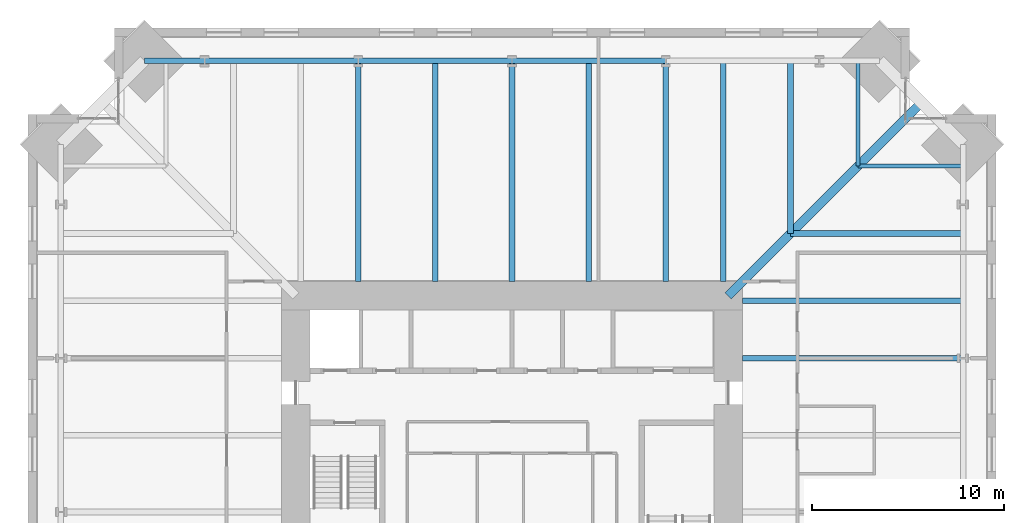
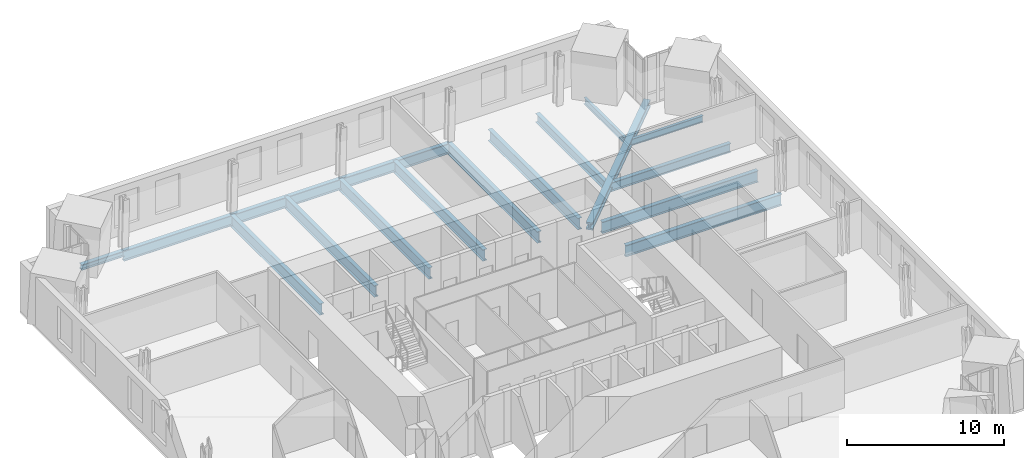
# One storey, part 7 of 15: 17 beams.
"""IFC4 building model written with IfcOpenShell, lengths in metres."""

from ifc_helpers import new_model, si_unit, direction, frame, origin, origin_2d, place, context, subcontext, project, spatial, i_section, extrude, material, material_profile, profile_set, type_object, element, save


model = new_model("IFC4")

# Units and contexts
model_context = context("Model", 3, precision=1e-05, world=origin(), true_north=direction((0.0, 1.0)))
body_context = subcontext(model_context, "Body", "Model", "MODEL_VIEW")
ifc_project = project(units=[si_unit("LENGTHUNIT", "METRE"), si_unit("AREAUNIT", "SQUARE_METRE"), si_unit("VOLUMEUNIT", "CUBIC_METRE"), si_unit("PLANEANGLEUNIT", "RADIAN"), si_unit("MASSUNIT", "GRAM", prefix="KILO")], contexts=[model_context])

# Site, building, storey
site_placement = place(None, origin())
site = spatial("IfcSite", under=ifc_project, at=site_placement, CompositionType="ELEMENT")
building_placement = place(site_placement, origin())
building = spatial("IfcBuilding", under=site, at=building_placement, Name="Peilmerk Tower", CompositionType="ELEMENT")
storey_placement = place(building_placement, frame((0.0, 0.0, 183.800048828125)))
storey = spatial("IfcBuildingStorey", under=building, at=storey_placement, Name="L39", CompositionType="ELEMENT", Elevation=183.800048828125)

# Beams
ifc_material_1 = material(Name="Steel S355", Category="steel")
ifc_material_profile_1 = material_profile(ifc_material_1, i_section(OverallWidth=0.302978515625, OverallDepth=0.81396484375, WebThickness=0.02099609375, FlangeThickness=0.0400390625, at=origin_2d()), Name="HEM 800")
ifc_profile_set_1 = profile_set([ifc_material_profile_1], Name="Steel S355")
beam_type_1 = type_object("IfcBeamType", Name="B15 HEM 800 edge beam", PredefinedType="SPANDREL", material=ifc_profile_set_1)
for number, where, z_axis, x_axis, name in (
    (1, (8.0, 23.485595703125, -0.5771484375), (-1.0, 0.0, 0.0), (0.0, -1.0, 0.0), "Edge beam L39"),
    (2, (0.0, 23.485595703125, -0.5771484375), (-1.0, 0.0, 0.0), (0.0, -1.0, 0.0), "Edge beam L39"),
    (3, (-8.0, 23.485595703125, -0.5771484375), (-1.0, 0.0, 0.0), (0.0, -1.0, 0.0), "Edge beam L39"),
):
    element("IfcBeam", number, at=place(storey_placement, frame(where, z_axis=z_axis, x_axis=x_axis)), inside=storey, type_object=beam_type_1, Name=name, PredefinedType="SPANDREL", context=body_context, shape_type="SweptSolid", body=[
        extrude(i_section(OverallWidth=0.302978515625, OverallDepth=0.81396484375, WebThickness=0.02099609375, FlangeThickness=0.0400390625, at=origin_2d()), origin(), (0.0, 0.0, 1.0), 8.0),
    ])
ifc_material_profile_2 = material_profile(ifc_material_1, i_section(OverallWidth=0.300048828125, OverallDepth=0.68994140625, WebThickness=0.014404296875, FlangeThickness=0.027099609375, at=origin_2d()), Name="HEA 700")
ifc_profile_set_2 = profile_set([ifc_material_profile_2], Name="Steel S355")
beam_type_2 = type_object("IfcBeamType", Name="B16 HEA 700 floor beam", PredefinedType="BEAM", material=ifc_profile_set_2)
for number, where, z_axis, x_axis, name in (
    (4, (14.5, 14.5, -0.51513671875), (0.0, 1.0, 0.0), (-1.0, 0.0, 0.0), "Floor beam L39"),
    (5, (14.5, 14.5, -0.51513671875), (1.0, 0.0, 0.0), (0.0, 1.0, 0.0), "Floor beam L39"),
):
    element("IfcBeam", number, at=place(storey_placement, frame(where, z_axis=z_axis, x_axis=x_axis)), inside=storey, type_object=beam_type_2, Name=name, PredefinedType="BEAM", context=body_context, shape_type="SweptSolid", body=[
        extrude(i_section(OverallWidth=0.300048828125, OverallDepth=0.68994140625, WebThickness=0.014404296875, FlangeThickness=0.027099609375, at=origin_2d()), origin(), (0.0, 0.0, 1.0), 8.985595703125),
    ])
ifc_material_profile_3 = material_profile(ifc_material_1, i_section(OverallWidth=0.199951171875, OverallDepth=0.5, WebThickness=0.01025390625, FlangeThickness=0.01611328125, at=origin_2d()), Name="IPE 500")
ifc_profile_set_3 = profile_set([ifc_material_profile_3], Name="Steel S355")
beam_type_3 = type_object("IfcBeamType", Name="B32 IPE 500 floor beam", PredefinedType="BEAM", material=ifc_profile_set_3)
for number, where, z_axis, x_axis, name in (
    (6, (18.0, 18.0, -0.420166015625), (0.0, 1.0, 0.0), (-1.0, 0.0, 0.0), "Floor beam L39"),
    (7, (18.0, 18.0, -0.420166015625), (1.0, 0.0, 0.0), (0.0, 1.0, 0.0), "Floor beam L39"),
):
    element("IfcBeam", number, at=place(storey_placement, frame(where, z_axis=z_axis, x_axis=x_axis)), inside=storey, type_object=beam_type_3, Name=name, PredefinedType="BEAM", context=body_context, shape_type="SweptSolid", body=[
        extrude(i_section(OverallWidth=0.199951171875, OverallDepth=0.5, WebThickness=0.01025390625, FlangeThickness=0.01611328125, at=origin_2d()), origin(), (0.0, 0.0, 1.0), 5.485595703125),
    ])
ifc_material_profile_4 = material_profile(ifc_material_1, i_section(OverallWidth=0.306884765625, OverallDepth=0.431884765625, WebThickness=0.02099609375, FlangeThickness=0.0400390625, at=origin_2d()), Name="HEM 400")
ifc_profile_set_4 = profile_set([ifc_material_profile_4], Name="Steel S355")
beam_type_4 = type_object("IfcBeamType", Name="B34 HEM 400 edge beam", PredefinedType="SPANDREL", material=ifc_profile_set_4)
beam_1_placement = place(storey_placement, frame((-16.0, 23.485595703125, -0.385986328125), z_axis=(-1.0, 0.0, 0.0), x_axis=(0.0, -1.0, 0.0)))
element("IfcBeam", 8, at=beam_1_placement, inside=storey, type_object=beam_type_4, Name="Edge beam L39", PredefinedType="SPANDREL", context=body_context, shape_type="SweptSolid", body=[
    extrude(i_section(OverallWidth=0.306884765625, OverallDepth=0.431884765625, WebThickness=0.02099609375, FlangeThickness=0.0400390625, at=origin_2d()), origin(), (0.0, 0.0, 1.0), 3.135498046875),
])
ifc_material_profile_5 = material_profile(ifc_material_1, i_section(OverallWidth=0.300048828125, OverallDepth=0.889892578125, WebThickness=0.01611328125, FlangeThickness=0.030029296875, at=origin_2d()), Name="HEA 900")
ifc_profile_set_5 = profile_set([ifc_material_profile_5], Name="Steel S355")
beam_type_5 = type_object("IfcBeamType", Name="B4 HEA 900 floor beam", PredefinedType="BEAM", material=ifc_profile_set_5)
for number, where, z_axis, x_axis, name in (
    (9, (11.0, 12.0, -0.614990234375), (0.0, 1.0, 0.0), (-1.0, 0.0, 0.0), "Floor beam L39"),
    (10, (8.0, 12.0, -0.614990234375), (0.0, 1.0, 0.0), (-1.0, 0.0, 0.0), "Floor beam L39"),
    (11, (4.0, 12.0, -0.614990234375), (0.0, 1.0, 0.0), (-1.0, 0.0, 0.0), "Floor beam L39"),
    (12, (0.0, 12.0, -0.614990234375), (0.0, 1.0, 0.0), (-1.0, 0.0, 0.0), "Floor beam L39"),
    (13, (-4.0, 12.0, -0.614990234375), (0.0, 1.0, 0.0), (-1.0, 0.0, 0.0), "Floor beam L39"),
    (14, (-8.0, 12.0, -0.614990234375), (0.0, 1.0, 0.0), (-1.0, 0.0, 0.0), "Floor beam L39"),
    (15, (12.0, 8.0, -0.614990234375), (1.0, 0.0, 0.0), (0.0, 1.0, 0.0), "Floor beam L39"),
    (16, (12.0, 11.0, -0.614990234375), (1.0, 0.0, 0.0), (0.0, 1.0, 0.0), "Floor beam L39"),
):
    element("IfcBeam", number, at=place(storey_placement, frame(where, z_axis=z_axis, x_axis=x_axis)), inside=storey, type_object=beam_type_5, Name=name, PredefinedType="BEAM", context=body_context, shape_type="SweptSolid", body=[
        extrude(i_section(OverallWidth=0.300048828125, OverallDepth=0.889892578125, WebThickness=0.01611328125, FlangeThickness=0.030029296875, at=origin_2d()), origin(), (0.0, 0.0, 1.0), 11.485595703125),
    ])
ifc_material_2 = material(Name="Steel S460", Category="steel")
ifc_material_profile_6 = material_profile(ifc_material_2, i_section(OverallWidth=0.4541015625, OverallDepth=0.569091796875, WebThickness=0.077880859375, FlangeThickness=0.125, at=origin_2d()), Name="HD 400x1086")
ifc_profile_set_6 = profile_set([ifc_material_profile_6], Name="Steel S460")
beam_type_6 = type_object("IfcBeamType", Name="B9 HD 400x1086 corner girder", PredefinedType="BEAM", material=ifc_profile_set_6)
beam_2_placement = place(storey_placement, frame((11.25, 11.25, -0.45458984375), z_axis=(0.707106781187, 0.707106781187, 0.0), x_axis=(-0.707106781187, 0.707106781187, 0.0)))
element("IfcBeam", 17, at=beam_2_placement, inside=storey, type_object=beam_type_6, Name="Corner girder L39", PredefinedType="BEAM", context=body_context, shape_type="SweptSolid", body=[
    extrude(i_section(OverallWidth=0.4541015625, OverallDepth=0.569091796875, WebThickness=0.077880859375, FlangeThickness=0.125, at=origin_2d()), origin(), (0.0, 0.0, 1.0), 14.227783203125),
])

save(model, "model.ifc")
